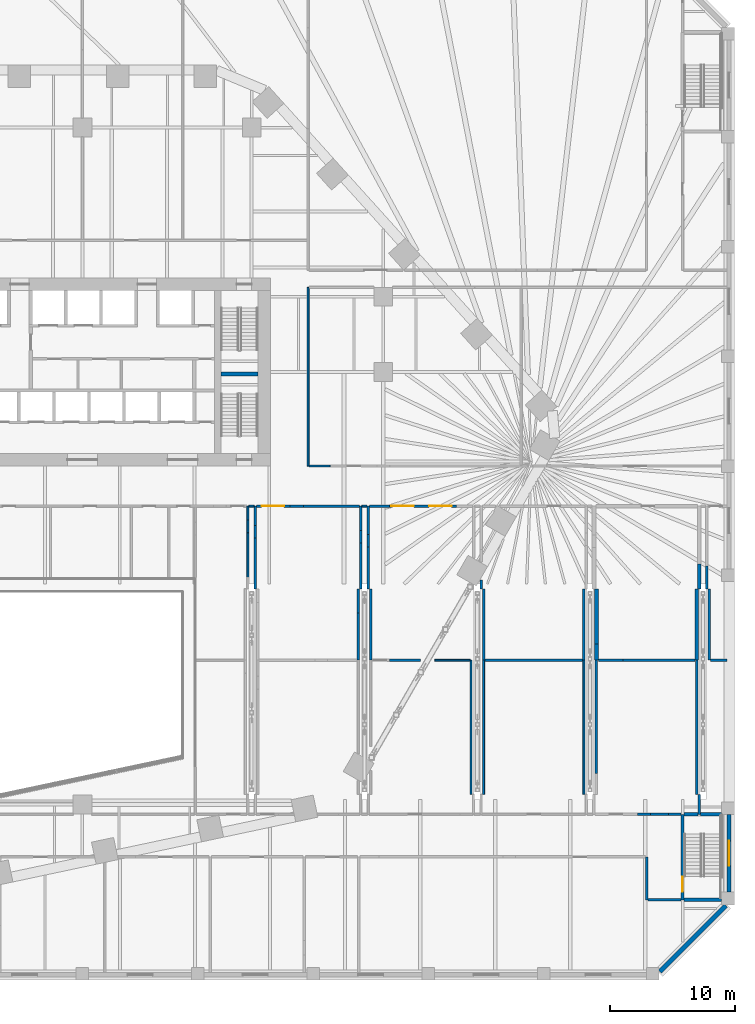
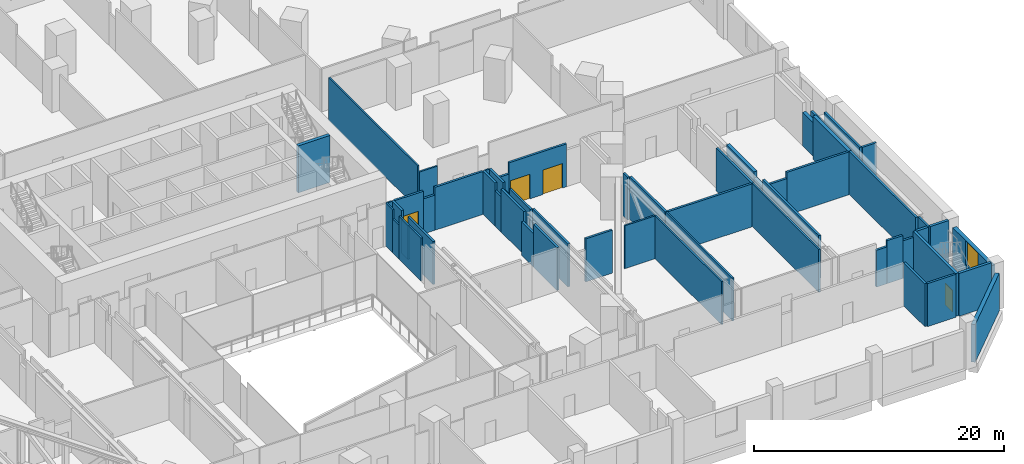
# One storey, part 20 of 32: 57 walls, 4 doors, 1 window, 5 openings.
"""IFC4 building model written with IfcOpenShell, lengths in metres."""

from ifc_helpers import new_model, si_unit, direction, frame, frame_2d, origin, place, context, subcontext, project, spatial, rectangle, extrude, material, layer, layer_set, type_object, element, fill, save


model = new_model("IFC4")

# Units and contexts
model_context = context("Model", 3, precision=1e-05, world=origin(), true_north=direction((0.0, 1.0)))
body_context = subcontext(model_context, "Body", "Model", "MODEL_VIEW")
ifc_project = project(units=[si_unit("LENGTHUNIT", "METRE"), si_unit("AREAUNIT", "SQUARE_METRE"), si_unit("VOLUMEUNIT", "CUBIC_METRE"), si_unit("PLANEANGLEUNIT", "RADIAN"), si_unit("MASSUNIT", "GRAM", prefix="KILO")], contexts=[model_context])

# Site, building, storey
site_placement = place(None, origin())
site = spatial("IfcSite", under=ifc_project, at=site_placement, CompositionType="ELEMENT")
building_placement = place(site_placement, origin())
building = spatial("IfcBuilding", under=site, at=building_placement, Name="Isthmus Gate Tower", CompositionType="ELEMENT")
storey_placement = place(building_placement, frame((0.0, 0.0, 18.0)))
storey = spatial("IfcBuildingStorey", under=building, at=storey_placement, Name="L02", CompositionType="ELEMENT", Elevation=18.0)

# Walls
ifc_material_1 = material(Name="Double-leaf gypsum board with mineral wool, resilient mounted")
ifc_layer_1 = layer(ifc_material_1, 0.300048828125)
ifc_layer_set_1 = layer_set([ifc_layer_1], Name="Acoustic studio wall 300 double leaf")
wall_type_1 = type_object("IfcWallType", Name="Acoustic studio wall 300 double leaf", PredefinedType="PARTITIONING", material=ifc_layer_set_1)
wall_1_placement = place(storey_placement, frame((41.0, -15.488525390625, 0.0), z_axis=(0.0, 0.0, 1.0), x_axis=(0.0, 1.0, 0.0)))
element("IfcWall", 1, at=wall_1_placement, inside=storey, type_object=wall_type_1, Name="Acoustic studio wall", PredefinedType="PARTITIONING", context=body_context, shape_type="SweptSolid", body=[
    extrude(rectangle(XDim=1.278076171875, YDim=0.300048828125, at=frame_2d((0.63916015625, 0.0))), origin(), (0.0, 0.0, 1.0), 3.5966796875),
])
wall_2_placement = place(storey_placement, frame((41.0, -14.21044921875, 0.0), z_axis=(0.0, 0.0, 1.0), x_axis=(0.0, 1.0, 0.0)))
element("IfcWall", 2, at=wall_2_placement, inside=storey, type_object=wall_type_1, Name="Acoustic studio wall", PredefinedType="PARTITIONING", context=body_context, shape_type="SweptSolid", body=[
    extrude(rectangle(XDim=4.410400390625, YDim=0.300048828125, at=frame_2d((2.205078125, 0.0))), origin(), (0.0, 0.0, 1.0), 4.199951171875),
])
wall_3_placement = place(storey_placement, frame((49.0, -15.488525390625, 0.0), z_axis=(0.0, 0.0, 1.0), x_axis=(0.0, 1.0, 0.0)))
element("IfcWall", 3, at=wall_3_placement, inside=storey, type_object=wall_type_1, Name="Acoustic studio wall", PredefinedType="PARTITIONING", context=body_context, shape_type="SweptSolid", body=[
    extrude(rectangle(XDim=5.6884765625, YDim=0.300048828125, at=frame_2d((2.84423828125, 0.0))), origin(), (0.0, 0.0, 1.0), 4.199951171875),
])
wall_4_placement = place(storey_placement, frame((49.199951171875, -9.800048828125, 0.0), z_axis=(0.0, 0.0, 1.0), x_axis=(0.0, 1.0, 0.0)))
element("IfcWall", 4, at=wall_4_placement, inside=storey, type_object=wall_type_1, Name="Acoustic studio wall", PredefinedType="PARTITIONING", context=body_context, shape_type="SweptSolid", body=[
    extrude(rectangle(XDim=1.977294921875, YDim=0.300048828125, at=frame_2d((0.98876953125, 0.0))), origin(), (0.0, 0.0, 1.0), 3.29833984375),
])
ifc_material_2 = material(Name="Concrete f'c 30 MPa", Category="concrete")
ifc_layer_2 = layer(ifc_material_2, 0.199951171875)
ifc_layer_set_2 = layer_set([ifc_layer_2], Name="Fire-rated block wall 200")
wall_type_2 = type_object("IfcWallType", Name="Fire-rated block wall 200", PredefinedType="PARTITIONING", material=ifc_layer_set_2)
wall_5_placement = place(storey_placement, frame((45.10009765625, -34.60009765625, 0.0), z_axis=(0.0, 0.0, 1.0), x_axis=(1.0, 0.0, 0.0)))
element("IfcWall", 5, at=wall_5_placement, inside=storey, type_object=wall_type_2, Name="Fire-rated wall", PredefinedType="PARTITIONING", context=body_context, shape_type="SweptSolid", body=[
    extrude(rectangle(XDim=2.64990234375, YDim=0.199951171875, at=frame_2d((1.324951171875, 0.0))), origin(), (0.0, 0.0, 1.0), 4.199951171875),
])
wall_6_placement = place(storey_placement, frame((44.2998046875, -27.779052734375, 0.0), z_axis=(0.0, 0.0, 1.0), x_axis=(1.0, 0.0, 0.0)))
element("IfcWall", 6, at=wall_6_placement, inside=storey, type_object=wall_type_2, Name="Fire-rated wall", PredefinedType="PARTITIONING", context=body_context, shape_type="SweptSolid", body=[
    extrude(rectangle(XDim=1.0, YDim=0.199951171875, at=frame_2d((0.5, 0.0))), origin(), (0.0, 0.0, 1.0), 3.5966796875),
])
wall_7_placement = place(storey_placement, frame((45.2998046875, -27.779052734375, 0.0), z_axis=(0.0, 0.0, 1.0), x_axis=(1.0, 0.0, 0.0)))
element("IfcWall", 7, at=wall_7_placement, inside=storey, type_object=wall_type_2, Name="Fire-rated wall", PredefinedType="PARTITIONING", context=body_context, shape_type="SweptSolid", body=[
    extrude(rectangle(XDim=1.4501953125, YDim=0.199951171875, at=frame_2d((0.72509765625, 0.0))), origin(), (0.0, 0.0, 1.0), 4.199951171875),
])
wall_8_placement = place(storey_placement, frame((46.75, -27.779052734375, 0.0), z_axis=(0.0, 0.0, 1.0), x_axis=(1.0, 0.0, 0.0)))
element("IfcWall", 8, at=wall_8_placement, inside=storey, type_object=wall_type_2, Name="Fire-rated wall", PredefinedType="PARTITIONING", context=body_context, shape_type="SweptSolid", body=[
    extrude(rectangle(XDim=1.0, YDim=0.199951171875, at=frame_2d((0.5, 0.0))), origin(), (0.0, 0.0, 1.0), 3.66650390625),
])
wall_9_placement = place(storey_placement, frame((24.5, -15.489013671875, 0.0), z_axis=(0.0, 0.0, 1.0), x_axis=(1.0, 0.0, 0.0)))
element("IfcWall", 9, at=wall_9_placement, inside=storey, type_object=wall_type_2, Name="Fire-rated wall", PredefinedType="PARTITIONING", context=body_context, shape_type="SweptSolid", body=[
    extrude(rectangle(XDim=2.46826171875, YDim=0.199951171875, at=frame_2d((1.234130859375, 0.0))), origin(), (0.0, 0.0, 1.0), 4.199951171875),
])
wall_10_placement = place(storey_placement, frame((32.10009765625, -15.489013671875, 0.0), z_axis=(0.0, 0.0, 1.0), x_axis=(1.0, 0.0, 0.0)))
element("IfcWall", 10, at=wall_10_placement, inside=storey, type_object=wall_type_2, Name="Fire-rated wall", PredefinedType="PARTITIONING", context=body_context, shape_type="SweptSolid", body=[
    extrude(rectangle(XDim=7.7998046875, YDim=0.199951171875, at=frame_2d((3.89990234375, 0.0))), origin(), (0.0, 0.0, 1.0), 4.199951171875),
])
wall_11_placement = place(storey_placement, frame((41.14990234375, -15.489013671875, 0.0), z_axis=(0.0, 0.0, 1.0), x_axis=(1.0, 0.0, 0.0)))
element("IfcWall", 11, at=wall_11_placement, inside=storey, type_object=wall_type_2, Name="Fire-rated wall", PredefinedType="PARTITIONING", context=body_context, shape_type="SweptSolid", body=[
    extrude(rectangle(XDim=1.966552734375, YDim=0.199951171875, at=frame_2d((0.9833984375, 0.0))), origin(), (0.0, 0.0, 1.0), 3.5966796875),
])
wall_12_placement = place(storey_placement, frame((43.116455078125, -15.489013671875, 0.0), z_axis=(0.0, 0.0, 1.0), x_axis=(1.0, 0.0, 0.0)))
element("IfcWall", 12, at=wall_12_placement, inside=storey, type_object=wall_type_2, Name="Fire-rated wall", PredefinedType="PARTITIONING", context=body_context, shape_type="SweptSolid", body=[
    extrude(rectangle(XDim=5.733642578125, YDim=0.199951171875, at=frame_2d((2.86669921875, 0.0))), origin(), (0.0, 0.0, 1.0), 4.199951171875),
])
wall_13_placement = place(storey_placement, frame((50.10009765625, -15.489013671875, 0.0), z_axis=(0.0, 0.0, 1.0), x_axis=(1.0, 0.0, 0.0)))
element("IfcWall", 13, at=wall_13_placement, inside=storey, type_object=wall_type_2, Name="Fire-rated wall", PredefinedType="PARTITIONING", context=body_context, shape_type="SweptSolid", body=[
    extrude(rectangle(XDim=1.2998046875, YDim=0.199951171875, at=frame_2d((0.64990234375, 0.0))), origin(), (0.0, 0.0, 1.0), 4.199951171875),
])

# Wall, opening, door
wall_14_placement = place(storey_placement, frame((13.89990234375, -3.199951171875, 0.0), z_axis=(0.0, 0.0, 1.0), x_axis=(1.0, 0.0, 0.0)))
wall_14 = element("IfcWall", 14, at=wall_14_placement, inside=storey, type_object=wall_type_2, Name="Fire-rated wall", PredefinedType="PARTITIONING", context=body_context, shape_type="SweptSolid", body=[
    extrude(rectangle(XDim=2.660400390625, YDim=0.199951171875, at=frame_2d((1.330078125, 0.0))), origin(), (0.0, 0.0, 1.0), 4.199951171875),
])
opening_1_placement = place(wall_14_placement, frame((0.39990234375, 0.0, 0.0)))
opening_1 = element("IfcOpeningElement", 15, at=opening_1_placement, cuts=wall_14, Name="Opening DP02-25", PredefinedType="OPENING", context=body_context, shape_type="SweptSolid", body=[
    extrude(rectangle(XDim=1.800048828125, YDim=2.39990234375, at=frame_2d((0.89990234375, 1.199951171875))), frame((0.0, 0.10986328125, 0.0), z_axis=(0.0, -1.0, 0.0), x_axis=(1.0, 0.0, 0.0)), (0.0, 0.0, 1.0), 0.219970703125),
])
ifc_material_3 = material(Name="Steel fire doors with intumescent seals", Category="steel")
door_type_1 = type_object("IfcDoorType", Name="Double fire door 1800 x 2400", OperationType="DOUBLE_DOOR_SINGLE_SWING", PredefinedType="DOOR", material=ifc_material_3)
door_1_placement = place(opening_1_placement, origin())
door_1 = element("IfcDoor", 16, at=door_1_placement, inside=storey, type_object=door_type_1, Name="Door DP02-25", OperationType="SINGLE_SWING_LEFT", OverallHeight=2.39990234375, OverallWidth=1.800048828125, PredefinedType="DOOR", context=body_context, shape_type="SweptSolid", body=[
    extrude(rectangle(XDim=1.800048828125, YDim=2.39990234375, at=frame_2d((0.89990234375, 1.199951171875))), frame((0.0, 0.02490234375, 0.0), z_axis=(0.0, -1.0, 0.0), x_axis=(1.0, 0.0, 0.0)), (0.0, 0.0, 1.0), 0.050048828125),
])
fill(opening_1, door_1)

# Walls
wall_15_placement = place(storey_placement, frame((16.560302734375, -3.199951171875, 0.0), z_axis=(0.0, 0.0, 1.0), x_axis=(1.0, 0.0, 0.0)))
element("IfcWall", 17, at=wall_15_placement, inside=storey, type_object=wall_type_2, Name="Fire-rated wall", PredefinedType="PARTITIONING", context=body_context, shape_type="SweptSolid", body=[
    extrude(rectangle(XDim=1.07568359375, YDim=0.199951171875, at=frame_2d((0.537841796875, 0.0))), origin(), (0.0, 0.0, 1.0), 3.441162109375),
])
wall_16_placement = place(storey_placement, frame((17.635986328125, -3.199951171875, 0.0), z_axis=(0.0, 0.0, 1.0), x_axis=(1.0, 0.0, 0.0)))
element("IfcWall", 18, at=wall_16_placement, inside=storey, type_object=wall_type_2, Name="Fire-rated wall", PredefinedType="PARTITIONING", context=body_context, shape_type="SweptSolid", body=[
    extrude(rectangle(XDim=4.464111328125, YDim=0.199951171875, at=frame_2d((2.23193359375, 0.0))), origin(), (0.0, 0.0, 1.0), 4.199951171875),
])
wall_17_placement = place(storey_placement, frame((22.89990234375, -3.199951171875, 0.0), z_axis=(0.0, 0.0, 1.0), x_axis=(1.0, 0.0, 0.0)))
element("IfcWall", 19, at=wall_17_placement, inside=storey, type_object=wall_type_2, Name="Fire-rated wall", PredefinedType="PARTITIONING", context=body_context, shape_type="SweptSolid", body=[
    extrude(rectangle(XDim=1.60009765625, YDim=0.199951171875, at=frame_2d((0.800048828125, 0.0))), origin(), (0.0, 0.0, 1.0), 3.111083984375),
])

# Wall, openings, doors
wall_18_placement = place(storey_placement, frame((24.5, -3.199951171875, 0.0), z_axis=(0.0, 0.0, 1.0), x_axis=(1.0, 0.0, 0.0)))
wall_18 = element("IfcWall", 20, at=wall_18_placement, inside=storey, type_object=wall_type_2, Name="Fire-rated wall", PredefinedType="PARTITIONING", context=body_context, shape_type="SweptSolid", body=[
    extrude(rectangle(XDim=5.332763671875, YDim=0.199951171875, at=frame_2d((2.66650390625, 0.0))), origin(), (0.0, 0.0, 1.0), 4.199951171875),
])
opening_2_placement = place(wall_18_placement, frame((0.14990234375, 0.0, 0.0)))
opening_2 = element("IfcOpeningElement", 21, at=opening_2_placement, cuts=wall_18, Name="Opening DP02-26", PredefinedType="OPENING", context=body_context, shape_type="SweptSolid", body=[
    extrude(rectangle(XDim=1.800048828125, YDim=2.39990234375, at=frame_2d((0.89990234375, 1.199951171875))), frame((0.0, 0.10986328125, 0.0), z_axis=(0.0, -1.0, 0.0), x_axis=(1.0, 0.0, 0.0)), (0.0, 0.0, 1.0), 0.219970703125),
])
opening_3_placement = place(wall_18_placement, frame((3.14990234375, 0.0, 0.0)))
opening_3 = element("IfcOpeningElement", 22, at=opening_3_placement, cuts=wall_18, Name="Opening DP02-27", PredefinedType="OPENING", context=body_context, shape_type="SweptSolid", body=[
    extrude(rectangle(XDim=1.800048828125, YDim=2.39990234375, at=frame_2d((0.89990234375, 1.199951171875))), frame((0.0, 0.10986328125, 0.0), z_axis=(0.0, -1.0, 0.0), x_axis=(1.0, 0.0, 0.0)), (0.0, 0.0, 1.0), 0.219970703125),
])
door_2_placement = place(opening_2_placement, origin())
door_2 = element("IfcDoor", 23, at=door_2_placement, inside=storey, type_object=door_type_1, Name="Door DP02-26", OperationType="SINGLE_SWING_LEFT", OverallHeight=2.39990234375, OverallWidth=1.800048828125, PredefinedType="DOOR", context=body_context, shape_type="SweptSolid", body=[
    extrude(rectangle(XDim=1.800048828125, YDim=2.39990234375, at=frame_2d((0.89990234375, 1.199951171875))), frame((0.0, 0.02490234375, 0.0), z_axis=(0.0, -1.0, 0.0), x_axis=(1.0, 0.0, 0.0)), (0.0, 0.0, 1.0), 0.050048828125),
])
fill(opening_2, door_2)
door_3_placement = place(opening_3_placement, origin())
door_3 = element("IfcDoor", 24, at=door_3_placement, inside=storey, type_object=door_type_1, Name="Door DP02-27", OperationType="SINGLE_SWING_LEFT", OverallHeight=2.39990234375, OverallWidth=1.800048828125, PredefinedType="DOOR", context=body_context, shape_type="SweptSolid", body=[
    extrude(rectangle(XDim=1.800048828125, YDim=2.39990234375, at=frame_2d((0.89990234375, 1.199951171875))), frame((0.0, 0.02490234375, 0.0), z_axis=(0.0, -1.0, 0.0), x_axis=(1.0, 0.0, 0.0)), (0.0, 0.0, 1.0), 0.050048828125),
])
fill(opening_3, door_3)

# Walls
wall_19_placement = place(storey_placement, frame((13.800048828125, -9.800048828125, 0.0), z_axis=(0.0, 0.0, 1.0), x_axis=(0.0, 1.0, 0.0)))
element("IfcWall", 25, at=wall_19_placement, inside=storey, type_object=wall_type_2, Name="Fire-rated wall", PredefinedType="PARTITIONING", context=body_context, shape_type="SweptSolid", body=[
    extrude(rectangle(XDim=4.043701171875, YDim=0.199951171875, at=frame_2d((2.02197265625, 0.0))), origin(), (0.0, 0.0, 1.0), 4.199951171875),
])
wall_20_placement = place(storey_placement, frame((13.800048828125, -5.75634765625, 0.0), z_axis=(0.0, 0.0, 1.0), x_axis=(0.0, 1.0, 0.0)))
element("IfcWall", 26, at=wall_20_placement, inside=storey, type_object=wall_type_2, Name="Fire-rated wall", PredefinedType="PARTITIONING", context=body_context, shape_type="SweptSolid", body=[
    extrude(rectangle(XDim=1.0, YDim=0.199951171875, at=frame_2d((0.5, 0.0))), origin(), (0.0, 0.0, 1.0), 3.29833984375),
])
wall_21_placement = place(storey_placement, frame((13.800048828125, -4.75634765625, 0.0), z_axis=(0.0, 0.0, 1.0), x_axis=(0.0, 1.0, 0.0)))
element("IfcWall", 27, at=wall_21_placement, inside=storey, type_object=wall_type_2, Name="Fire-rated wall", PredefinedType="PARTITIONING", context=body_context, shape_type="SweptSolid", body=[
    extrude(rectangle(XDim=1.555419921875, YDim=0.199951171875, at=frame_2d((0.77783203125, 0.0))), origin(), (0.0, 0.0, 1.0), 4.199951171875),
])
wall_22_placement = place(storey_placement, frame((22.0, -15.488525390625, 0.0), z_axis=(0.0, 0.0, 1.0), x_axis=(0.0, 1.0, 0.0)))
element("IfcWall", 28, at=wall_22_placement, inside=storey, type_object=wall_type_2, Name="Fire-rated wall", PredefinedType="PARTITIONING", context=body_context, shape_type="SweptSolid", body=[
    extrude(rectangle(XDim=3.774658203125, YDim=0.199951171875, at=frame_2d((1.88720703125, 0.0))), origin(), (0.0, 0.0, 1.0), 4.199951171875),
])
wall_23_placement = place(storey_placement, frame((22.0, -11.7138671875, 0.0), z_axis=(0.0, 0.0, 1.0), x_axis=(0.0, 1.0, 0.0)))
element("IfcWall", 29, at=wall_23_placement, inside=storey, type_object=wall_type_2, Name="Fire-rated wall", PredefinedType="PARTITIONING", context=body_context, shape_type="SweptSolid", body=[
    extrude(rectangle(XDim=1.913818359375, YDim=0.199951171875, at=frame_2d((0.95703125, 0.0))), origin(), (0.0, 0.0, 1.0), 3.29833984375),
])
wall_24_placement = place(storey_placement, frame((22.199951171875, -9.800048828125, 0.0), z_axis=(0.0, 0.0, 1.0), x_axis=(0.0, 1.0, 0.0)))
element("IfcWall", 30, at=wall_24_placement, inside=storey, type_object=wall_type_2, Name="Fire-rated wall", PredefinedType="PARTITIONING", context=body_context, shape_type="SweptSolid", body=[
    extrude(rectangle(XDim=3.64306640625, YDim=0.199951171875, at=frame_2d((1.821533203125, 0.0))), origin(), (0.0, 0.0, 1.0), 4.199951171875),
])
wall_25_placement = place(storey_placement, frame((22.199951171875, -6.156982421875, 0.0), z_axis=(0.0, 0.0, 1.0), x_axis=(0.0, 1.0, 0.0)))
element("IfcWall", 31, at=wall_25_placement, inside=storey, type_object=wall_type_2, Name="Fire-rated wall", PredefinedType="PARTITIONING", context=body_context, shape_type="SweptSolid", body=[
    extrude(rectangle(XDim=1.0, YDim=0.199951171875, at=frame_2d((0.5, 0.0))), origin(), (0.0, 0.0, 1.0), 3.441162109375),
])
wall_26_placement = place(storey_placement, frame((22.199951171875, -5.156982421875, 0.0), z_axis=(0.0, 0.0, 1.0), x_axis=(0.0, 1.0, 0.0)))
element("IfcWall", 32, at=wall_26_placement, inside=storey, type_object=wall_type_2, Name="Fire-rated wall", PredefinedType="PARTITIONING", context=body_context, shape_type="SweptSolid", body=[
    extrude(rectangle(XDim=1.9560546875, YDim=0.199951171875, at=frame_2d((0.97802734375, 0.0))), origin(), (0.0, 0.0, 1.0), 4.199951171875),
])
wall_27_placement = place(storey_placement, frame((22.800048828125, -9.800048828125, 0.0), z_axis=(0.0, 0.0, 1.0), x_axis=(0.0, 1.0, 0.0)))
element("IfcWall", 33, at=wall_27_placement, inside=storey, type_object=wall_type_2, Name="Fire-rated wall", PredefinedType="PARTITIONING", context=body_context, shape_type="SweptSolid", body=[
    extrude(rectangle(XDim=3.354248046875, YDim=0.199951171875, at=frame_2d((1.67724609375, 0.0))), origin(), (0.0, 0.0, 1.0), 4.199951171875),
])
wall_28_placement = place(storey_placement, frame((22.800048828125, -6.44580078125, 0.0), z_axis=(0.0, 0.0, 1.0), x_axis=(0.0, 1.0, 0.0)))
element("IfcWall", 34, at=wall_28_placement, inside=storey, type_object=wall_type_2, Name="Fire-rated wall", PredefinedType="PARTITIONING", context=body_context, shape_type="SweptSolid", body=[
    extrude(rectangle(XDim=1.0, YDim=0.199951171875, at=frame_2d((0.5, 0.0))), origin(), (0.0, 0.0, 1.0), 3.441162109375),
])
wall_29_placement = place(storey_placement, frame((22.800048828125, -5.44580078125, 0.0), z_axis=(0.0, 0.0, 1.0), x_axis=(0.0, 1.0, 0.0)))
element("IfcWall", 35, at=wall_29_placement, inside=storey, type_object=wall_type_2, Name="Fire-rated wall", PredefinedType="PARTITIONING", context=body_context, shape_type="SweptSolid", body=[
    extrude(rectangle(XDim=2.244873046875, YDim=0.199951171875, at=frame_2d((1.12255859375, 0.0))), origin(), (0.0, 0.0, 1.0), 4.199951171875),
])
wall_30_placement = place(storey_placement, frame((23.0, -15.488525390625, 0.0), z_axis=(0.0, 0.0, 1.0), x_axis=(0.0, 1.0, 0.0)))
element("IfcWall", 36, at=wall_30_placement, inside=storey, type_object=wall_type_2, Name="Fire-rated wall", PredefinedType="PARTITIONING", context=body_context, shape_type="SweptSolid", body=[
    extrude(rectangle(XDim=5.6884765625, YDim=0.199951171875, at=frame_2d((2.84423828125, 0.0))), origin(), (0.0, 0.0, 1.0), 4.199951171875),
])
wall_31_placement = place(storey_placement, frame((31.800048828125, -9.800048828125, 0.0), z_axis=(0.0, 0.0, 1.0), x_axis=(0.0, 1.0, 0.0)))
element("IfcWall", 37, at=wall_31_placement, inside=storey, type_object=wall_type_2, Name="Fire-rated wall", PredefinedType="PARTITIONING", context=body_context, shape_type="SweptSolid", body=[
    extrude(rectangle(XDim=0.7060546875, YDim=0.199951171875, at=frame_2d((0.35302734375, 0.0))), origin(), (0.0, 0.0, 1.0), 4.199951171875),
])
for number, where, z_axis, x_axis, name in (
    (38, (32.0, -15.488525390625, 0.0), (0.0, 0.0, 1.0), (0.0, 1.0, 0.0), "Fire-rated wall"),
    (39, (40.0, -15.488525390625, 0.0), (0.0, 0.0, 1.0), (0.0, 1.0, 0.0), "Fire-rated wall"),
):
    element("IfcWall", number, at=place(storey_placement, frame(where, z_axis=z_axis, x_axis=x_axis)), inside=storey, type_object=wall_type_2, Name=name, PredefinedType="PARTITIONING", context=body_context, shape_type="SweptSolid", body=[
        extrude(rectangle(XDim=5.6884765625, YDim=0.199951171875, at=frame_2d((2.84423828125, 0.0))), origin(), (0.0, 0.0, 1.0), 4.199951171875),
    ])
wall_32_placement = place(storey_placement, frame((41.0, -24.518310546875, 0.0), z_axis=(0.0, 0.0, 1.0), x_axis=(0.0, 1.0, 0.0)))
element("IfcWall", 40, at=wall_32_placement, inside=storey, type_object=wall_type_2, Name="Fire-rated wall", PredefinedType="PARTITIONING", context=body_context, shape_type="SweptSolid", body=[
    extrude(rectangle(XDim=9.02783203125, YDim=0.199951171875, at=frame_2d((4.513916015625, 0.0))), origin(), (0.0, 0.0, 1.0), 4.199951171875),
])
wall_33_placement = place(storey_placement, frame((45.0, -34.60009765625, 0.0), z_axis=(0.0, 0.0, 1.0), x_axis=(0.0, 1.0, 0.0)))
element("IfcWall", 41, at=wall_33_placement, inside=storey, type_object=wall_type_2, Name="Fire-rated wall", PredefinedType="PARTITIONING", context=body_context, shape_type="SweptSolid", body=[
    extrude(rectangle(XDim=3.421142578125, YDim=0.199951171875, at=frame_2d((1.71044921875, 0.0))), origin(), (0.0, 0.0, 1.0), 4.199951171875),
])
wall_34_placement = place(storey_placement, frame((49.0, -26.199951171875, 0.0), z_axis=(0.0, 0.0, 1.0), x_axis=(0.0, 1.0, 0.0)))
element("IfcWall", 42, at=wall_34_placement, inside=storey, type_object=wall_type_2, Name="Fire-rated wall", PredefinedType="PARTITIONING", context=body_context, shape_type="SweptSolid", body=[
    extrude(rectangle(XDim=10.70947265625, YDim=0.199951171875, at=frame_2d((5.354736328125, 0.0))), origin(), (0.0, 0.0, 1.0), 4.199951171875),
])
wall_35_placement = place(storey_placement, frame((49.199951171875, -27.778076171875, 0.0), z_axis=(0.0, 0.0, 1.0), x_axis=(0.0, 1.0, 0.0)))
element("IfcWall", 43, at=wall_35_placement, inside=storey, type_object=wall_type_2, Name="Fire-rated wall", PredefinedType="PARTITIONING", context=body_context, shape_type="SweptSolid", body=[
    extrude(rectangle(XDim=1.578125, YDim=0.199951171875, at=frame_2d((0.7890625, 0.0))), origin(), (0.0, 0.0, 1.0), 4.199951171875),
])
wall_36_placement = place(storey_placement, frame((49.800048828125, -9.800048828125, 0.0), z_axis=(0.0, 0.0, 1.0), x_axis=(0.0, 1.0, 0.0)))
element("IfcWall", 44, at=wall_36_placement, inside=storey, type_object=wall_type_2, Name="Fire-rated wall", PredefinedType="PARTITIONING", context=body_context, shape_type="SweptSolid", body=[
    extrude(rectangle(XDim=1.811767578125, YDim=0.199951171875, at=frame_2d((0.90576171875, 0.0))), origin(), (0.0, 0.0, 1.0), 3.29833984375),
])
wall_37_placement = place(storey_placement, frame((50.0, -15.489501953125, 0.0), z_axis=(0.0, 0.0, 1.0), x_axis=(0.0, 1.0, 0.0)))
element("IfcWall", 45, at=wall_37_placement, inside=storey, type_object=wall_type_2, Name="Fire-rated wall", PredefinedType="PARTITIONING", context=body_context, shape_type="SweptSolid", body=[
    extrude(rectangle(XDim=5.689453125, YDim=0.199951171875, at=frame_2d((2.8447265625, 0.0))), origin(), (0.0, 0.0, 1.0), 4.199951171875),
])
ifc_material_4 = material(Name="Precast concrete C40/50, limestone-faced", Category="masonry")
ifc_layer_3 = layer(ifc_material_4, 0.35009765625)
ifc_layer_set_3 = layer_set([ifc_layer_3], Name="PODIUM CLADDING WALL 350")
wall_type_3 = type_object("IfcWallType", Name="PODIUM CLADDING WALL 350", PredefinedType="SOLIDWALL", material=ifc_layer_set_3)
wall_38_placement = place(storey_placement, frame((46.071533203125, -40.327392578125, -0.39990234375), z_axis=(0.0, 0.0, 1.0), x_axis=(0.707106781187, 0.707106781187, 0.0)))
element("IfcWall", 46, at=wall_38_placement, inside=storey, type_object=wall_type_3, Name="PODIUM WALL", PredefinedType="SOLIDWALL", context=body_context, shape_type="SweptSolid", body=[
    extrude(rectangle(XDim=7.432861328125, YDim=0.35009765625, at=frame_2d((3.71630859375, 0.0))), origin(), (0.0, 0.0, 1.0), 3.699951171875),
])

# Wall, opening, window
wall_39_placement = place(storey_placement, frame((51.574951171875, -34.0, -0.39990234375), z_axis=(0.0, 0.0, 1.0), x_axis=(0.0, 1.0, 0.0)))
wall_39 = element("IfcWall", 47, at=wall_39_placement, inside=storey, type_object=wall_type_3, Name="PODIUM WALL", PredefinedType="SOLIDWALL", context=body_context, shape_type="SweptSolid", body=[
    extrude(rectangle(XDim=6.199951171875, YDim=0.35009765625, at=frame_2d((3.10009765625, 0.0))), origin(), (0.0, 0.0, 1.0), 3.699951171875),
])
opening_4_placement = place(wall_39_placement, frame((2.10009765625, 0.0, 1.300048828125)))
opening_4 = element("IfcOpeningElement", 48, at=opening_4_placement, cuts=wall_39, Name="Opening W011", PredefinedType="OPENING", context=body_context, shape_type="SweptSolid", body=[
    extrude(rectangle(XDim=2.0, YDim=2.35009765625, at=frame_2d((1.0, 1.175048828125))), frame((0.0, 0.18505859375, 0.0), z_axis=(0.0, -1.0, 0.0), x_axis=(1.0, 0.0, 0.0)), (0.0, 0.0, 1.0), 0.3701171875),
])
ifc_material_5 = material(Name="Aluminium, pale champagne anodised, laminated glass", Category="aluminium")
window_type = type_object("IfcWindowType", Name="PODIUM SLOT WINDOW 2000 X 2350", PartitioningType="SINGLE_PANEL", PredefinedType="WINDOW", material=ifc_material_5)
window_placement = place(opening_4_placement, origin())
window = element("IfcWindow", 49, at=window_placement, inside=storey, type_object=window_type, Name="SLOT WINDOW", OverallHeight=2.35009765625, OverallWidth=2.0, PartitioningType="SINGLE_PANEL", PredefinedType="WINDOW", context=body_context, shape_type="SweptSolid", body=[
    extrude(rectangle(XDim=2.0, YDim=2.35009765625, at=frame_2d((1.0, 1.175048828125))), frame((0.0, 0.030029296875, 0.0), z_axis=(0.0, -1.0, 0.0), x_axis=(1.0, 0.0, 0.0)), (0.0, 0.0, 1.0), 0.06005859375),
])
fill(opening_4, window)

# Walls
ifc_material_6 = material(Name="Gypsum board on cold-formed steel studs", Category="steel")
ifc_layer_4 = layer(ifc_material_6, 0.14990234375)
ifc_layer_set_4 = layer_set([ifc_layer_4])
wall_type_4 = type_object("IfcWallType", Name="Partition 150 gypsum board on steel studs", PredefinedType="PARTITIONING", material=ifc_layer_set_4)
wall_40_placement = place(storey_placement, frame((28.123046875, -15.489013671875, 0.0), z_axis=(0.0, 0.0, 1.0), x_axis=(1.0, 0.0, 0.0)))
element("IfcWall", 50, at=wall_40_placement, inside=storey, type_object=wall_type_4, Name="Partition", PredefinedType="PARTITIONING", context=body_context, shape_type="SweptSolid", body=[
    extrude(rectangle(XDim=2.802001953125, YDim=0.14990234375, at=frame_2d((1.40087890625, 0.0))), origin(), (0.0, 0.0, 1.0), 4.199951171875),
])
wall_41_placement = place(storey_placement, frame((13.27490234375, -3.199951171875, 0.0), z_axis=(0.0, 0.0, 1.0), x_axis=(1.0, 0.0, 0.0)))
element("IfcWall", 51, at=wall_41_placement, inside=storey, type_object=wall_type_4, Name="Partition", PredefinedType="PARTITIONING", context=body_context, shape_type="SweptSolid", body=[
    extrude(rectangle(XDim=0.425048828125, YDim=0.14990234375, at=frame_2d((0.21240234375, 0.0))), origin(), (0.0, 0.0, 1.0), 4.199951171875),
])
wall_42_placement = place(storey_placement, frame((22.300048828125, -3.199951171875, 0.0), z_axis=(0.0, 0.0, 1.0), x_axis=(1.0, 0.0, 0.0)))
element("IfcWall", 52, at=wall_42_placement, inside=storey, type_object=wall_type_4, Name="Partition", PredefinedType="PARTITIONING", context=body_context, shape_type="SweptSolid", body=[
    extrude(rectangle(XDim=0.39990234375, YDim=0.14990234375, at=frame_2d((0.199951171875, 0.0))), origin(), (0.0, 0.0, 1.0), 4.199951171875),
])
wall_43_placement = place(storey_placement, frame((18.074951171875, 0.0, 0.0), z_axis=(0.0, 0.0, 1.0), x_axis=(1.0, 0.0, 0.0)))
element("IfcWall", 53, at=wall_43_placement, inside=storey, type_object=wall_type_4, Name="Partition", PredefinedType="PARTITIONING", context=body_context, shape_type="SweptSolid", body=[
    extrude(rectangle(XDim=1.679931640625, YDim=0.14990234375, at=frame_2d((0.83984375, 0.0))), origin(), (0.0, 0.0, 1.0), 3.5966796875),
])
wall_44_placement = place(storey_placement, frame((13.199951171875, -8.88037109375, 0.0), z_axis=(0.0, 0.0, 1.0), x_axis=(0.0, 1.0, 0.0)))
element("IfcWall", 54, at=wall_44_placement, inside=storey, type_object=wall_type_4, Name="Partition", PredefinedType="PARTITIONING", context=body_context, shape_type="SweptSolid", body=[
    extrude(rectangle(XDim=3.56005859375, YDim=0.14990234375, at=frame_2d((1.780029296875, 0.0))), origin(), (0.0, 0.0, 1.0), 4.199951171875),
])
wall_45_placement = place(storey_placement, frame((13.199951171875, -5.3203125, 0.0), z_axis=(0.0, 0.0, 1.0), x_axis=(0.0, 1.0, 0.0)))
element("IfcWall", 55, at=wall_45_placement, inside=storey, type_object=wall_type_4, Name="Partition", PredefinedType="PARTITIONING", context=body_context, shape_type="SweptSolid", body=[
    extrude(rectangle(XDim=1.0, YDim=0.14990234375, at=frame_2d((0.5, 0.0))), origin(), (0.0, 0.0, 1.0), 3.29833984375),
])
wall_46_placement = place(storey_placement, frame((13.199951171875, -4.3203125, 0.0), z_axis=(0.0, 0.0, 1.0), x_axis=(0.0, 1.0, 0.0)))
element("IfcWall", 56, at=wall_46_placement, inside=storey, type_object=wall_type_4, Name="Partition", PredefinedType="PARTITIONING", context=body_context, shape_type="SweptSolid", body=[
    extrude(rectangle(XDim=1.119384765625, YDim=0.14990234375, at=frame_2d((0.5595703125, 0.0))), origin(), (0.0, 0.0, 1.0), 4.199951171875),
])
wall_47_placement = place(storey_placement, frame((18.0, 0.0, 0.0), z_axis=(0.0, 0.0, 1.0), x_axis=(0.0, 1.0, 0.0)))
element("IfcWall", 57, at=wall_47_placement, inside=storey, type_object=wall_type_4, Name="Partition", PredefinedType="PARTITIONING", context=body_context, shape_type="SweptSolid", body=[
    extrude(rectangle(XDim=14.25, YDim=0.14990234375, at=frame_2d((7.125, 0.0))), origin(), (0.0, 0.0, 1.0), 4.199951171875),
])
wall_48_placement = place(storey_placement, frame((31.0, -26.199951171875, 0.0), z_axis=(0.0, 0.0, 1.0), x_axis=(0.0, 1.0, 0.0)))
element("IfcWall", 58, at=wall_48_placement, inside=storey, type_object=wall_type_4, Name="Partition", PredefinedType="PARTITIONING", context=body_context, shape_type="SweptSolid", body=[
    extrude(rectangle(XDim=10.71044921875, YDim=0.14990234375, at=frame_2d((5.355224609375, 0.0))), origin(), (0.0, 0.0, 1.0), 4.199951171875),
])
for number, where, z_axis, x_axis, name in (
    (59, (32.0, -26.199951171875, 0.0), (0.0, 0.0, 1.0), (0.0, 1.0, 0.0), "Partition"),
    (60, (40.0, -26.199951171875, 0.0), (0.0, 0.0, 1.0), (0.0, 1.0, 0.0), "Partition"),
):
    element("IfcWall", number, at=place(storey_placement, frame(where, z_axis=z_axis, x_axis=x_axis)), inside=storey, type_object=wall_type_4, Name=name, PredefinedType="PARTITIONING", context=body_context, shape_type="SweptSolid", body=[
        extrude(rectangle(XDim=10.70947265625, YDim=0.14990234375, at=frame_2d((5.354736328125, 0.0))), origin(), (0.0, 0.0, 1.0), 4.199951171875),
    ])
ifc_material_7 = material(Name="Concrete f'c 40 MPa", Category="concrete")
ifc_layer_5 = layer(ifc_material_7, 0.300048828125)
ifc_layer_set_5 = layer_set([ifc_layer_5], Name="STAIR ENCLOSURE WALL 300 180 MIN")
wall_type_5 = type_object("IfcWallType", Name="STAIR ENCLOSURE WALL 300 180 MIN", PredefinedType="SOLIDWALL", material=ifc_layer_set_5)
wall_49_placement = place(storey_placement, frame((11.050048828125, 7.35009765625, -0.39990234375), z_axis=(0.0, 0.0, 1.0), x_axis=(1.0, 0.0, 0.0)))
element("IfcWall", 61, at=wall_49_placement, inside=storey, type_object=wall_type_5, Name="L02 STAIR ENCLOSURE WALL 300 180 MIN", PredefinedType="SOLIDWALL", context=body_context, shape_type="SweptSolid", body=[
    extrude(rectangle(XDim=2.949951171875, YDim=0.300048828125, at=frame_2d((1.47509765625, 0.0))), origin(), (0.0, 0.0, 1.0), 4.599853515625),
])
ifc_material_8 = material(Name="Concrete f'c 40 MPa", Category="concrete")
ifc_layer_6 = layer(ifc_material_8, 0.25)
ifc_layer_set_6 = layer_set([ifc_layer_6])
wall_type_6 = type_object("IfcWallType", Name="Stair shaft wall 250 reinforced concrete", PredefinedType="SHEAR", material=ifc_layer_set_6)
wall_50_placement = place(storey_placement, frame((48.0, -34.60009765625, 0.0), z_axis=(0.0, 0.0, 1.0), x_axis=(1.0, 0.0, 0.0)))
element("IfcWall", 62, at=wall_50_placement, inside=storey, type_object=wall_type_6, Name="Stair shaft wall", PredefinedType="SHEAR", context=body_context, shape_type="SweptSolid", body=[
    extrude(rectangle(XDim=3.0, YDim=0.25, at=frame_2d((1.5, 0.0))), origin(), (0.0, 0.0, 1.0), 4.199951171875),
])
wall_51_placement = place(storey_placement, frame((48.0, -27.779052734375, 0.0), z_axis=(0.0, 0.0, 1.0), x_axis=(1.0, 0.0, 0.0)))
element("IfcWall", 63, at=wall_51_placement, inside=storey, type_object=wall_type_6, Name="Stair shaft wall", PredefinedType="SHEAR", context=body_context, shape_type="SweptSolid", body=[
    extrude(rectangle(XDim=1.10009765625, YDim=0.25, at=frame_2d((0.550048828125, 0.0))), origin(), (0.0, 0.0, 1.0), 4.199951171875),
])
wall_52_placement = place(storey_placement, frame((49.300048828125, -27.779052734375, 0.0), z_axis=(0.0, 0.0, 1.0), x_axis=(1.0, 0.0, 0.0)))
element("IfcWall", 64, at=wall_52_placement, inside=storey, type_object=wall_type_6, Name="Stair shaft wall", PredefinedType="SHEAR", context=body_context, shape_type="SweptSolid", body=[
    extrude(rectangle(XDim=1.699951171875, YDim=0.25, at=frame_2d((0.85009765625, 0.0))), origin(), (0.0, 0.0, 1.0), 4.199951171875),
])

# Wall, opening, door
wall_53_placement = place(storey_placement, frame((47.875, -34.60009765625, 0.0), z_axis=(0.0, 0.0, 1.0), x_axis=(0.0, 1.0, 0.0)))
wall_53 = element("IfcWall", 65, at=wall_53_placement, inside=storey, type_object=wall_type_6, Name="Stair shaft wall", PredefinedType="SHEAR", context=body_context, shape_type="SweptSolid", body=[
    extrude(rectangle(XDim=6.821044921875, YDim=0.25, at=frame_2d((3.41064453125, 0.0))), origin(), (0.0, 0.0, 1.0), 4.199951171875),
])
opening_5_placement = place(wall_53_placement, frame((0.64990234375, 0.0, 0.0)))
opening_5 = element("IfcOpeningElement", 66, at=opening_5_placement, cuts=wall_53, Name="Opening DP02-08", PredefinedType="OPENING", context=body_context, shape_type="SweptSolid", body=[
    extrude(rectangle(XDim=1.199951171875, YDim=2.10009765625, at=frame_2d((0.60009765625, 1.050048828125))), frame((0.0, 0.135009765625, 0.0), z_axis=(0.0, -1.0, 0.0), x_axis=(1.0, 0.0, 0.0)), (0.0, 0.0, 1.0), 0.27001953125),
])
ifc_material_9 = material(Name="Steel fire door with intumescent seals", Category="steel")
door_type_2 = type_object("IfcDoorType", Name="Fire door 1200 x 2100", OperationType="SINGLE_SWING_LEFT", PredefinedType="DOOR", material=ifc_material_9)
door_4_placement = place(opening_5_placement, origin())
door_4 = element("IfcDoor", 67, at=door_4_placement, inside=storey, type_object=door_type_2, Name="Door DP02-08", OperationType="SINGLE_SWING_LEFT", OverallHeight=2.10009765625, OverallWidth=1.199951171875, PredefinedType="DOOR", context=body_context, shape_type="SweptSolid", body=[
    extrude(rectangle(XDim=1.199951171875, YDim=2.10009765625, at=frame_2d((0.60009765625, 1.050048828125))), frame((0.0, 0.02490234375, 0.0), z_axis=(0.0, -1.0, 0.0), x_axis=(1.0, 0.0, 0.0)), (0.0, 0.0, 1.0), 0.050048828125),
])
fill(opening_5, door_4)

save(model, "model.ifc")
